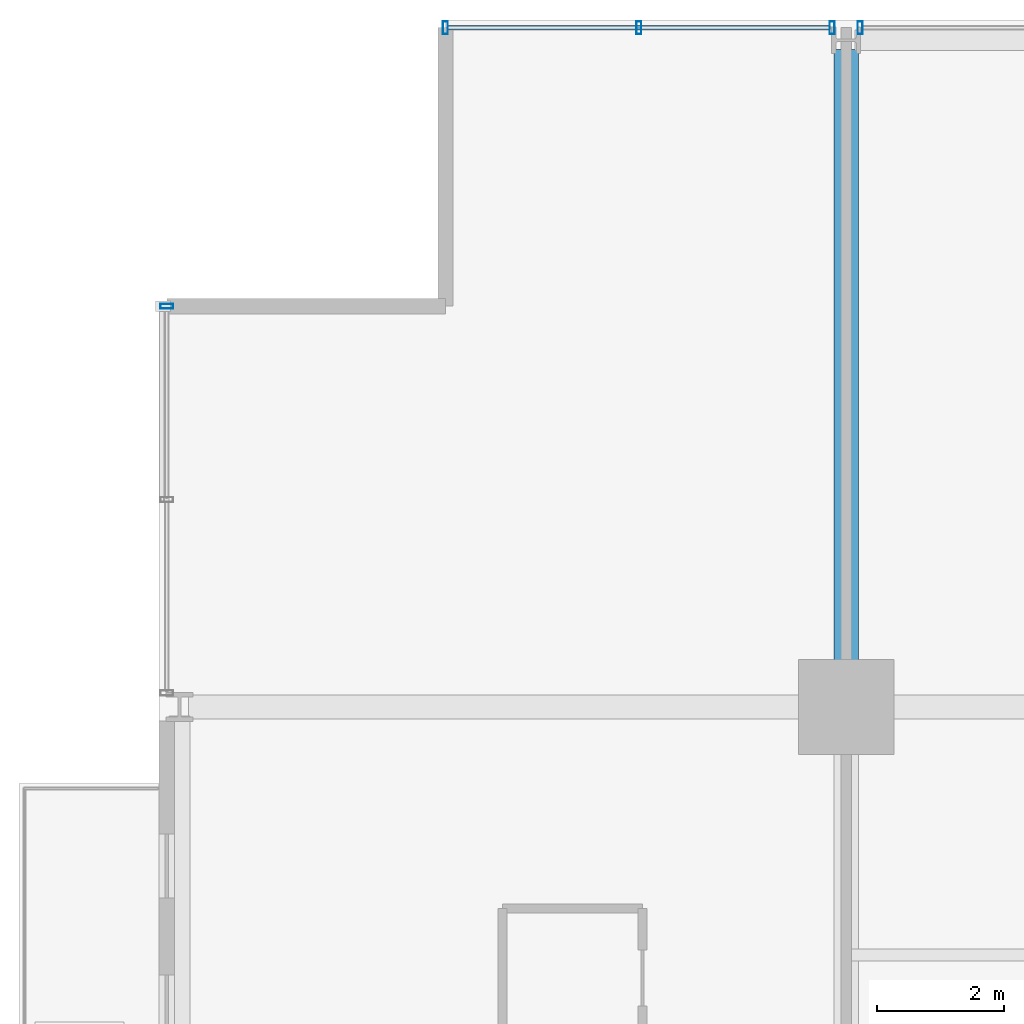
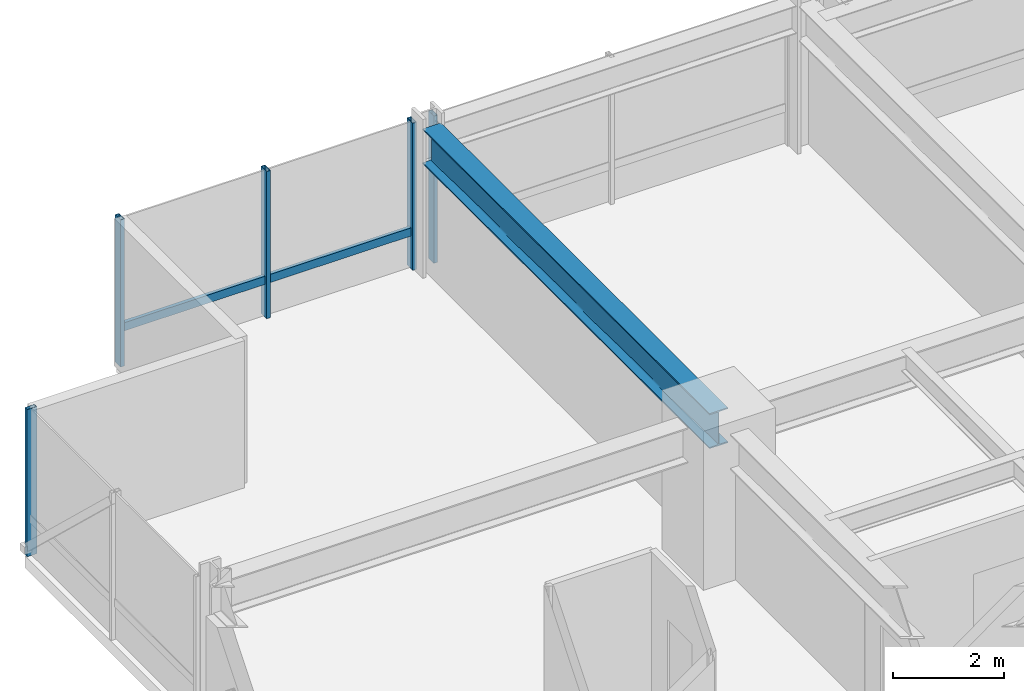
# One storey, part 20 of 33: 6 members, 1 beam, 3 elements without a shape of their own.
"""IFC4 building model written with IfcOpenShell, lengths in metres."""

from ifc_helpers import new_model, si_unit, direction, frame, origin, origin_2d, place, context, subcontext, project, spatial, hollow_rectangle, i_section, extrude, material, layer, layer_set, material_profile, profile_set, type_object, element, aggregate, save


model = new_model("IFC4")

# Units and contexts
model_context = context("Model", 3, precision=1e-05, world=origin(), true_north=direction((0.0, 1.0)))
body_context = subcontext(model_context, "Body", "Model", "MODEL_VIEW")
ifc_project = project(units=[si_unit("LENGTHUNIT", "METRE"), si_unit("AREAUNIT", "SQUARE_METRE"), si_unit("VOLUMEUNIT", "CUBIC_METRE"), si_unit("PLANEANGLEUNIT", "RADIAN"), si_unit("MASSUNIT", "GRAM", prefix="KILO")], contexts=[model_context])

# Site, building, storey
site_placement = place(None, origin())
site = spatial("IfcSite", under=ifc_project, at=site_placement, CompositionType="ELEMENT")
building_placement = place(site_placement, origin())
building = spatial("IfcBuilding", under=site, at=building_placement, Name="Drelvath Grand Hotel", CompositionType="ELEMENT")
storey_placement = place(building_placement, frame((0.0, 0.0, 105.800048828125)))
storey = spatial("IfcBuildingStorey", under=building, at=storey_placement, Name="L26", CompositionType="ELEMENT", Elevation=105.800048828125)

# Curtain wall, member
ifc_material_1 = material(Name="Champagne Bronze Anodised Aluminium Frame", Category="aluminium")
ifc_layer = layer(ifc_material_1, 0.199951171875)
ifc_layer_set = layer_set([ifc_layer], Name="Champagne Bronze Anodised Aluminium Frame")
curtain_wall_type = type_object("IfcCurtainWallType", Name="Stick Curtain Wall CW-03 Champagne Bronze Mid-Rise", PredefinedType="NOTDEFINED", material=ifc_layer_set)
curtain_wall_1_placement = place(storey_placement, origin())
curtain_wall_1 = element("IfcCurtainWall", 1, at=curtain_wall_1_placement, inside=storey, type_object=curtain_wall_type, Name="L26 CW-03 Curtain Wall CW03-L26-NW1", PredefinedType="NOTDEFINED")
ifc_material_profile_1 = material_profile(ifc_material_1, hollow_rectangle(XDim=0.074951171875, YDim=0.179931640625, WallThickness=0.0048828125, at=origin_2d()), Name="HSS180X75X5")
ifc_profile_set_1 = profile_set([ifc_material_profile_1], Name="Champagne Bronze Anodised Aluminium Frame")
member_type_1 = type_object("IfcMemberType", Name="Curtain Wall Horizontal Transom CW-03 HSS180X75X5", PredefinedType="USERDEFINED", material=ifc_profile_set_1)
member_1_placement = place(storey_placement, frame((-22.4599609375, 53.8798828125, 0.81005859375), z_axis=(1.0, 0.0, 0.0), x_axis=(0.0, 1.0, 0.0)))
member_1 = element("IfcMember", 2, at=member_1_placement, type_object=member_type_1, Name="CW03-L26-NW1 Sill Transom", ObjectType="TRANSOM", PredefinedType="USERDEFINED", context=body_context, shape_type="SweptSolid", body=[
    extrude(hollow_rectangle(XDim=0.074951171875, YDim=0.179931640625, WallThickness=0.0048828125, at=origin_2d()), origin(), (0.0, 0.0, 1.0), 6.000244140625),
])

curtain_wall_2_placement = place(storey_placement, origin())
curtain_wall_2 = element("IfcCurtainWall", 3, at=curtain_wall_2_placement, inside=storey, type_object=curtain_wall_type, Name="L26 CW-03 Curtain Wall CW03-L26-WN3", PredefinedType="NOTDEFINED")
ifc_material_profile_2 = material_profile(ifc_material_1, hollow_rectangle(XDim=0.080078125, YDim=0.199951171875, WallThickness=0.0048828125, at=origin_2d()), Name="HSS200X80X5")
ifc_profile_set_2 = profile_set([ifc_material_profile_2], Name="Champagne Bronze Anodised Aluminium Frame")
member_type_2 = type_object("IfcMemberType", Name="Curtain Wall Vertical Mullion CW-03 HSS200X80X5", PredefinedType="MULLION", material=ifc_profile_set_2)
member_2_placement = place(storey_placement, frame((-26.8798828125, 49.5, 0.0), z_axis=(0.0, 0.0, 1.0), x_axis=(0.0, 1.0, 0.0)))
member_2 = element("IfcMember", 4, at=member_2_placement, type_object=member_type_2, Name="CW03-L26-WN3 Mullion 3", PredefinedType="MULLION", context=body_context, shape_type="SweptSolid", body=[
    extrude(hollow_rectangle(XDim=0.080078125, YDim=0.199951171875, WallThickness=0.0048828125, at=origin_2d()), origin(), (0.0, 0.0, 1.0), 3.239990234375),
])
aggregate(curtain_wall_2, [member_2])

# Member
member_3_placement = place(storey_placement, frame((-22.5, 53.8798828125, 0.0), z_axis=(0.0, 0.0, 1.0), x_axis=(1.0, 0.0, 0.0)))
member_3 = element("IfcMember", 5, at=member_3_placement, type_object=member_type_2, Name="CW03-L26-NW1 Mullion 1", PredefinedType="MULLION", context=body_context, shape_type="SweptSolid", body=[
    extrude(hollow_rectangle(XDim=0.080078125, YDim=0.199951171875, WallThickness=0.0048828125, at=origin_2d()), origin(), (0.0, 0.0, 1.0), 3.239990234375),
])

member_4_placement = place(storey_placement, frame((-19.459716796875, 53.8798828125, 0.0), z_axis=(0.0, 0.0, 1.0), x_axis=(1.0, 0.0, 0.0)))
member_4 = element("IfcMember", 6, at=member_4_placement, type_object=member_type_2, Name="CW03-L26-NW1 Mullion 2", PredefinedType="MULLION", context=body_context, shape_type="SweptSolid", body=[
    extrude(hollow_rectangle(XDim=0.080078125, YDim=0.199951171875, WallThickness=0.0048828125, at=origin_2d()), origin(), (0.0, 0.0, 1.0), 3.239990234375),
])

member_5_placement = place(storey_placement, frame((-16.419677734375, 53.8798828125, 0.0), z_axis=(0.0, 0.0, 1.0), x_axis=(1.0, 0.0, 0.0)))
member_5 = element("IfcMember", 7, at=member_5_placement, type_object=member_type_2, Name="CW03-L26-NW1 Mullion 3", PredefinedType="MULLION", context=body_context, shape_type="SweptSolid", body=[
    extrude(hollow_rectangle(XDim=0.080078125, YDim=0.199951171875, WallThickness=0.0048828125, at=origin_2d()), origin(), (0.0, 0.0, 1.0), 3.239990234375),
])

aggregate(curtain_wall_1, [member_3, member_4, member_5, member_1])

# Curtain wall, member
curtain_wall_3_placement = place(storey_placement, origin())
curtain_wall_3 = element("IfcCurtainWall", 8, at=curtain_wall_3_placement, inside=storey, type_object=curtain_wall_type, Name="L26 CW-03 Curtain Wall CW03-L26-NW2", PredefinedType="NOTDEFINED")
member_6_placement = place(storey_placement, frame((-15.98046875, 53.8798828125, 0.0), z_axis=(0.0, 0.0, 1.0), x_axis=(1.0, 0.0, 0.0)))
member_6 = element("IfcMember", 9, at=member_6_placement, type_object=member_type_2, Name="CW03-L26-NW2 Mullion 1", PredefinedType="MULLION", context=body_context, shape_type="SweptSolid", body=[
    extrude(hollow_rectangle(XDim=0.080078125, YDim=0.199951171875, WallThickness=0.0048828125, at=origin_2d()), origin(), (0.0, 0.0, 1.0), 3.239990234375),
])
aggregate(curtain_wall_3, [member_6])

# Beam
ifc_material_2 = material(Name="Steel ASTM A992 Gr 50", Category="steel")
ifc_material_profile_3 = material_profile(ifc_material_2, i_section(OverallWidth=0.380615234375, OverallDepth=0.773193359375, WebThickness=0.0166015625, FlangeThickness=0.027099609375, FilletRadius=0.02490234375, at=origin_2d()), Name="W30X173")
ifc_profile_set_3 = profile_set([ifc_material_profile_3], Name="Steel ASTM A992 Gr 50")
beam_type = type_object("IfcBeamType", Name="Primary Floor Girder W30X173", PredefinedType="BEAM", material=ifc_profile_set_3)
beam_placement = place(storey_placement, frame((-16.199951171875, 43.199951171875, 2.853271484375), z_axis=(0.0, 1.0, 0.0), x_axis=(-1.0, 0.0, 0.0)))
element("IfcBeam", 10, at=beam_placement, inside=storey, type_object=beam_type, Name="L26 North Grid Girder 3", PredefinedType="BEAM", context=body_context, shape_type="SweptSolid", body=[
    extrude(i_section(OverallWidth=0.380615234375, OverallDepth=0.773193359375, WebThickness=0.0166015625, FlangeThickness=0.027099609375, FilletRadius=0.02490234375, at=origin_2d()), origin(), (0.0, 0.0, 1.0), 10.340087890625),
])

save(model, "model.ifc")
